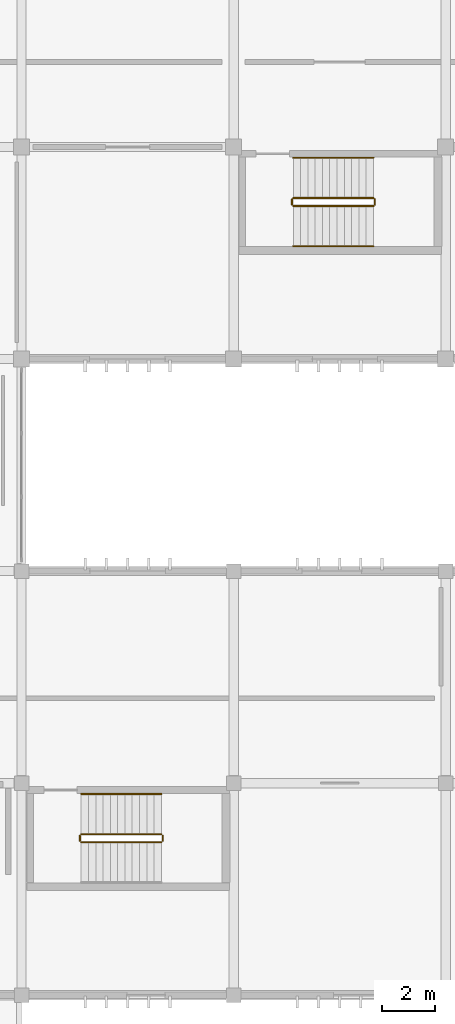
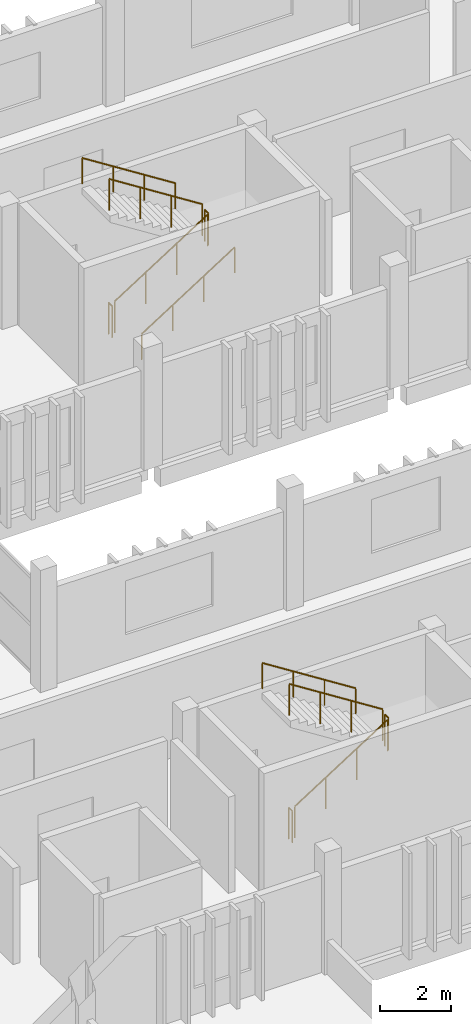
# One storey, part 47 of 48: 11 railings.
"""IFC4 building model written with IfcOpenShell, lengths in metres."""

from ifc_helpers import new_model, si_unit, direction, frame, origin, origin_2d, place, context, subcontext, project, spatial, circle, extrude, material, type_object, element, save


model = new_model("IFC4")

# Units and contexts
model_context = context("Model", 3, precision=1e-05, world=origin(), true_north=direction((0.0, 1.0)))
body_context = subcontext(model_context, "Body", "Model", "MODEL_VIEW")
ifc_project = project(units=[si_unit("LENGTHUNIT", "METRE"), si_unit("AREAUNIT", "SQUARE_METRE"), si_unit("VOLUMEUNIT", "CUBIC_METRE"), si_unit("PLANEANGLEUNIT", "RADIAN"), si_unit("MASSUNIT", "GRAM", prefix="KILO")], contexts=[model_context])

# Site, building, storey
site_placement = place(None, origin())
site = spatial("IfcSite", under=ifc_project, at=site_placement, CompositionType="ELEMENT")
building_placement = place(site_placement, origin())
building = spatial("IfcBuilding", under=site, at=building_placement, Name="Jelvoka-Kovrelna Polytechnic", CompositionType="ELEMENT")
storey_placement = place(building_placement, frame((0.0, 0.0, 22.199951171875)))
storey = spatial("IfcBuildingStorey", under=building, at=storey_placement, Name="L06", CompositionType="ELEMENT", Elevation=22.199951171875)

# Railings
ifc_material_1 = material(Name="Powder-coated steel stair guard", Category="steel")
railing_type_1 = type_object("IfcRailingType", Name="Railing_Stair_Guard_1100", PredefinedType="GUARDRAIL", material=ifc_material_1)
railing_1_placement = place(storey_placement, frame((154.25, 37.77001953125, 0.175048828125)))
element("IfcRailing", 1, at=railing_1_placement, inside=storey, type_object=railing_type_1, Name="L06 ST08 stair guard 1", PredefinedType="GUARDRAIL", context=body_context, shape_type="SweptSolid", body=[
    extrude(circle(Radius=0.02392578125, at=origin_2d()), frame((0.0, 0.0, 1.076171875), z_axis=(0.84364746871, 0.0, 0.536897521451), x_axis=(0.0, 1.0, 0.0)), (0.0, 0.0, 1.0), 3.58544921875),
    extrude(circle(Radius=0.02099609375, at=origin_2d()), origin(), (0.0, 0.0, 1.0), 1.052001953125),
    extrude(circle(Radius=0.02099609375, at=origin_2d()), frame((1.00830078125, 0.0, 0.6416015625)), (0.0, 0.0, 1.0), 1.052001953125),
    extrude(circle(Radius=0.02099609375, at=origin_2d()), frame((2.0166015625, 0.0, 1.283447265625)), (0.0, 0.0, 1.0), 1.052001953125),
    extrude(circle(Radius=0.02099609375, at=origin_2d()), frame((3.02490234375, 0.0, 1.925048828125)), (0.0, 0.0, 1.0), 1.052001953125),
])
railing_2_placement = place(storey_placement, frame((157.324951171875, 37.820068359375, 2.10009765625)))
element("IfcRailing", 2, at=railing_2_placement, inside=storey, type_object=railing_type_1, Name="L06 ST08 stair guard 2", PredefinedType="GUARDRAIL", context=body_context, shape_type="SweptSolid", body=[
    extrude(circle(Radius=0.02392578125, at=origin_2d()), frame((0.0, 0.0, 1.076171875), z_axis=(0.0, 1.0, 0.0), x_axis=(-1.0, 0.0, 0.0)), (0.0, 0.0, 1.0), 0.199951171875),
    extrude(circle(Radius=0.02099609375, at=origin_2d()), origin(), (0.0, 0.0, 1.0), 1.052001953125),
    extrude(circle(Radius=0.02099609375, at=origin_2d()), frame((0.0, 0.199951171875, 0.0)), (0.0, 0.0, 1.0), 1.052001953125),
])
railing_3_placement = place(storey_placement, frame((157.27490234375, 38.070068359375, 2.275146484375)))
element("IfcRailing", 3, at=railing_3_placement, inside=storey, type_object=railing_type_1, Name="L06 ST08 stair guard 3", PredefinedType="GUARDRAIL", context=body_context, shape_type="SweptSolid", body=[
    extrude(circle(Radius=0.02392578125, at=origin_2d()), frame((0.0, 0.0, 1.076171875), z_axis=(-0.843678310415, 0.0, 0.536849055634), x_axis=(0.0, -1.0, 0.0)), (0.0, 0.0, 1.0), 3.58544921875),
    extrude(circle(Radius=0.02099609375, at=origin_2d()), origin(), (0.0, 0.0, 1.0), 1.052001953125),
    extrude(circle(Radius=0.02099609375, at=origin_2d()), frame((-1.00830078125, 0.0, 0.6416015625)), (0.0, 0.0, 1.0), 1.052001953125),
    extrude(circle(Radius=0.02099609375, at=origin_2d()), frame((-2.0166015625, 0.0, 1.283203125)), (0.0, 0.0, 1.0), 1.052001953125),
    extrude(circle(Radius=0.02099609375, at=origin_2d()), frame((-3.02490234375, 0.0, 1.9248046875)), (0.0, 0.0, 1.0), 1.052001953125),
])
railing_4_placement = place(storey_placement, frame((154.199951171875, 37.820068359375, 0.0)))
element("IfcRailing", 4, at=railing_4_placement, inside=storey, type_object=railing_type_1, Name="L06 ST08 stair guard 4", PredefinedType="GUARDRAIL", context=body_context, shape_type="SweptSolid", body=[
    extrude(circle(Radius=0.02392578125, at=origin_2d()), frame((0.0, 0.0, 1.076171875), z_axis=(0.0, 1.0, 0.0), x_axis=(-1.0, 0.0, 0.0)), (0.0, 0.0, 1.0), 0.199951171875),
    extrude(circle(Radius=0.02099609375, at=origin_2d()), origin(), (0.0, 0.0, 1.0), 1.052001953125),
    extrude(circle(Radius=0.02099609375, at=origin_2d()), frame((0.0, 0.199951171875, 0.0)), (0.0, 0.0, 1.0), 1.052001953125),
])
railing_5_placement = place(storey_placement, frame((162.25, 61.77001953125, 0.175048828125)))
element("IfcRailing", 5, at=railing_5_placement, inside=storey, type_object=railing_type_1, Name="L06 ST10 stair guard 1", PredefinedType="GUARDRAIL", context=body_context, shape_type="SweptSolid", body=[
    extrude(circle(Radius=0.02392578125, at=origin_2d()), frame((0.0, 0.0, 1.076171875), z_axis=(0.84364746871, 0.0, 0.536897521451), x_axis=(0.0, 1.0, 0.0)), (0.0, 0.0, 1.0), 3.58544921875),
    extrude(circle(Radius=0.02099609375, at=origin_2d()), origin(), (0.0, 0.0, 1.0), 1.052001953125),
    extrude(circle(Radius=0.02099609375, at=origin_2d()), frame((1.00830078125, 0.0, 0.6416015625)), (0.0, 0.0, 1.0), 1.052001953125),
    extrude(circle(Radius=0.02099609375, at=origin_2d()), frame((2.0166015625, 0.0, 1.283447265625)), (0.0, 0.0, 1.0), 1.052001953125),
    extrude(circle(Radius=0.02099609375, at=origin_2d()), frame((3.02490234375, 0.0, 1.925048828125)), (0.0, 0.0, 1.0), 1.052001953125),
])
railing_6_placement = place(storey_placement, frame((165.324951171875, 61.820068359375, 2.10009765625)))
element("IfcRailing", 6, at=railing_6_placement, inside=storey, type_object=railing_type_1, Name="L06 ST10 stair guard 2", PredefinedType="GUARDRAIL", context=body_context, shape_type="SweptSolid", body=[
    extrude(circle(Radius=0.02392578125, at=origin_2d()), frame((0.0, 0.0, 1.076171875), z_axis=(0.0, 1.0, 0.0), x_axis=(-1.0, 0.0, 0.0)), (0.0, 0.0, 1.0), 0.199951171875),
    extrude(circle(Radius=0.02099609375, at=origin_2d()), origin(), (0.0, 0.0, 1.0), 1.052001953125),
    extrude(circle(Radius=0.02099609375, at=origin_2d()), frame((0.0, 0.199951171875, 0.0)), (0.0, 0.0, 1.0), 1.052001953125),
])
railing_7_placement = place(storey_placement, frame((165.27490234375, 62.070068359375, 2.275146484375)))
element("IfcRailing", 7, at=railing_7_placement, inside=storey, type_object=railing_type_1, Name="L06 ST10 stair guard 3", PredefinedType="GUARDRAIL", context=body_context, shape_type="SweptSolid", body=[
    extrude(circle(Radius=0.02392578125, at=origin_2d()), frame((0.0, 0.0, 1.076171875), z_axis=(-0.843678310415, 0.0, 0.536849055634), x_axis=(0.0, -1.0, 0.0)), (0.0, 0.0, 1.0), 3.58544921875),
    extrude(circle(Radius=0.02099609375, at=origin_2d()), origin(), (0.0, 0.0, 1.0), 1.052001953125),
    extrude(circle(Radius=0.02099609375, at=origin_2d()), frame((-1.00830078125, 0.0, 0.6416015625)), (0.0, 0.0, 1.0), 1.052001953125),
    extrude(circle(Radius=0.02099609375, at=origin_2d()), frame((-2.0166015625, 0.0, 1.283203125)), (0.0, 0.0, 1.0), 1.052001953125),
    extrude(circle(Radius=0.02099609375, at=origin_2d()), frame((-3.02490234375, 0.0, 1.9248046875)), (0.0, 0.0, 1.0), 1.052001953125),
])
railing_8_placement = place(storey_placement, frame((162.199951171875, 61.820068359375, 0.0)))
element("IfcRailing", 8, at=railing_8_placement, inside=storey, type_object=railing_type_1, Name="L06 ST10 stair guard 4", PredefinedType="GUARDRAIL", context=body_context, shape_type="SweptSolid", body=[
    extrude(circle(Radius=0.02392578125, at=origin_2d()), frame((0.0, 0.0, 1.076171875), z_axis=(0.0, 1.0, 0.0), x_axis=(-1.0, 0.0, 0.0)), (0.0, 0.0, 1.0), 0.199951171875),
    extrude(circle(Radius=0.02099609375, at=origin_2d()), origin(), (0.0, 0.0, 1.0), 1.052001953125),
    extrude(circle(Radius=0.02099609375, at=origin_2d()), frame((0.0, 0.199951171875, 0.0)), (0.0, 0.0, 1.0), 1.052001953125),
])
ifc_material_2 = material(Name="Brushed stainless steel handrail", Category="steel")
railing_type_2 = type_object("IfcRailingType", Name="Railing_Stair_Handrail_900", PredefinedType="HANDRAIL", material=ifc_material_2)
railing_9_placement = place(storey_placement, frame((157.27490234375, 39.590087890625, 2.275146484375)))
element("IfcRailing", 9, at=railing_9_placement, inside=storey, type_object=railing_type_2, Name="L06 ST08 stair handrail 2", PredefinedType="HANDRAIL", context=body_context, shape_type="SweptSolid", body=[
    extrude(circle(Radius=0.02392578125, at=origin_2d()), frame((0.0, 0.0, 0.8759765625), z_axis=(-0.843678310415, 0.0, 0.536849055634), x_axis=(0.0, -1.0, 0.0)), (0.0, 0.0, 1.0), 3.58544921875),
    extrude(circle(Radius=0.02099609375, at=origin_2d()), origin(), (0.0, 0.0, 1.0), 0.851806640625),
    extrude(circle(Radius=0.02099609375, at=origin_2d()), frame((-1.00830078125, 0.0, 0.6416015625)), (0.0, 0.0, 1.0), 0.851806640625),
    extrude(circle(Radius=0.02099609375, at=origin_2d()), frame((-2.0166015625, 0.0, 1.283203125)), (0.0, 0.0, 1.0), 0.851806640625),
    extrude(circle(Radius=0.02099609375, at=origin_2d()), frame((-3.02490234375, 0.0, 1.9248046875)), (0.0, 0.0, 1.0), 0.851806640625),
])
railing_10_placement = place(storey_placement, frame((162.25, 60.25, 0.175048828125)))
element("IfcRailing", 10, at=railing_10_placement, inside=storey, type_object=railing_type_2, Name="L06 ST10 stair handrail 1", PredefinedType="HANDRAIL", context=body_context, shape_type="SweptSolid", body=[
    extrude(circle(Radius=0.02392578125, at=origin_2d()), frame((0.0, 0.0, 0.8759765625), z_axis=(0.84364746871, 0.0, 0.536897521451), x_axis=(0.0, 1.0, 0.0)), (0.0, 0.0, 1.0), 3.58544921875),
    extrude(circle(Radius=0.02099609375, at=origin_2d()), origin(), (0.0, 0.0, 1.0), 0.851806640625),
    extrude(circle(Radius=0.02099609375, at=origin_2d()), frame((1.00830078125, 0.0, 0.6416015625)), (0.0, 0.0, 1.0), 0.851806640625),
    extrude(circle(Radius=0.02099609375, at=origin_2d()), frame((2.0166015625, 0.0, 1.283447265625)), (0.0, 0.0, 1.0), 0.851806640625),
    extrude(circle(Radius=0.02099609375, at=origin_2d()), frame((3.02490234375, 0.0, 1.925048828125)), (0.0, 0.0, 1.0), 0.851806640625),
])
railing_11_placement = place(storey_placement, frame((165.27490234375, 63.590087890625, 2.275146484375)))
element("IfcRailing", 11, at=railing_11_placement, inside=storey, type_object=railing_type_2, Name="L06 ST10 stair handrail 2", PredefinedType="HANDRAIL", context=body_context, shape_type="SweptSolid", body=[
    extrude(circle(Radius=0.02392578125, at=origin_2d()), frame((0.0, 0.0, 0.8759765625), z_axis=(-0.843678310415, 0.0, 0.536849055634), x_axis=(0.0, -1.0, 0.0)), (0.0, 0.0, 1.0), 3.58544921875),
    extrude(circle(Radius=0.02099609375, at=origin_2d()), origin(), (0.0, 0.0, 1.0), 0.851806640625),
    extrude(circle(Radius=0.02099609375, at=origin_2d()), frame((-1.00830078125, 0.0, 0.6416015625)), (0.0, 0.0, 1.0), 0.851806640625),
    extrude(circle(Radius=0.02099609375, at=origin_2d()), frame((-2.0166015625, 0.0, 1.283203125)), (0.0, 0.0, 1.0), 0.851806640625),
    extrude(circle(Radius=0.02099609375, at=origin_2d()), frame((-3.02490234375, 0.0, 1.9248046875)), (0.0, 0.0, 1.0), 0.851806640625),
])

save(model, "model.ifc")
